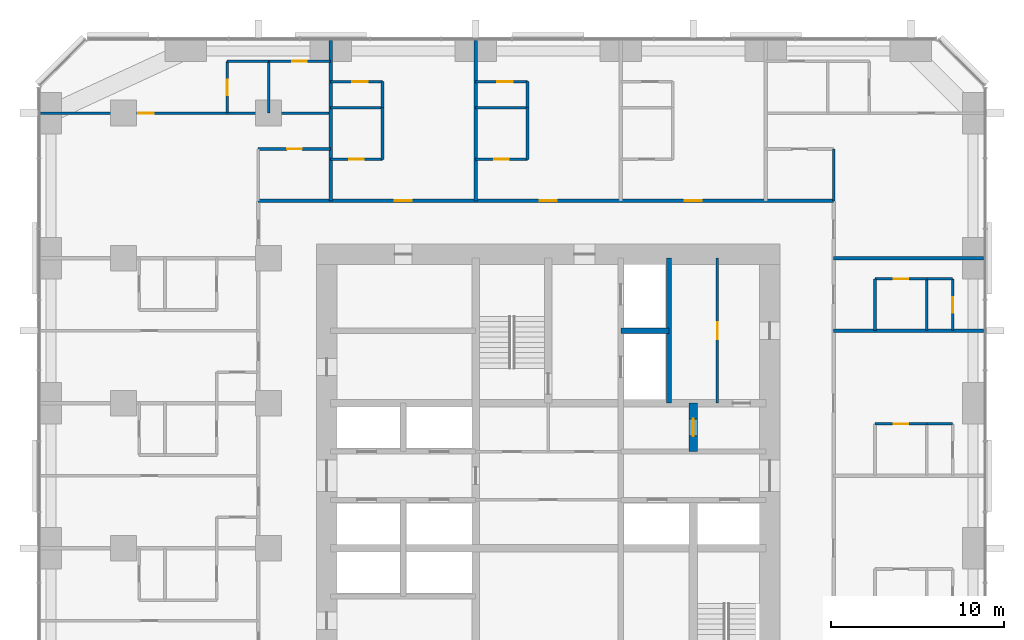
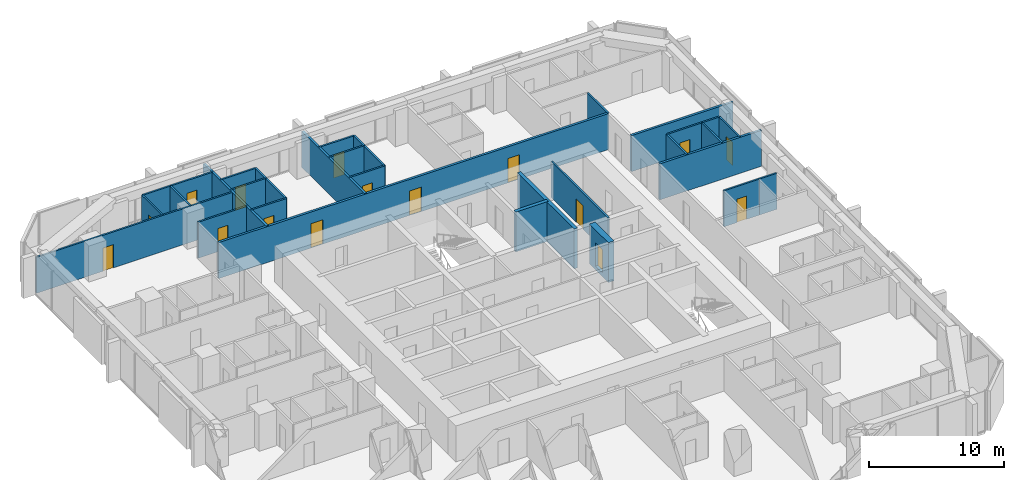
# One storey, part 12 of 14: 33 walls, 16 doors, 16 openings.
"""IFC4 building model written with IfcOpenShell, lengths in metres."""

from ifc_helpers import new_model, si_unit, direction, frame, frame_2d, origin, place, context, subcontext, project, spatial, rectangle, extrude, material, layer, layer_set, type_object, element, fill, save


model = new_model("IFC4")

# Units and contexts
model_context = context("Model", 3, precision=1e-05, world=origin(), true_north=direction((0.0, 1.0)))
body_context = subcontext(model_context, "Body", "Model", "MODEL_VIEW")
ifc_project = project(units=[si_unit("LENGTHUNIT", "METRE"), si_unit("AREAUNIT", "SQUARE_METRE"), si_unit("VOLUMEUNIT", "CUBIC_METRE"), si_unit("PLANEANGLEUNIT", "RADIAN"), si_unit("MASSUNIT", "GRAM", prefix="KILO")], contexts=[model_context])

# Site, building, storey
site_placement = place(None, origin())
site = spatial("IfcSite", under=ifc_project, at=site_placement, CompositionType="ELEMENT")
building_placement = place(site_placement, origin())
building = spatial("IfcBuilding", under=site, at=building_placement, Name="Dunama Terrace Hotel", CompositionType="ELEMENT")
storey_placement = place(building_placement, frame((0.0, 0.0, 100.800048828125)))
storey = spatial("IfcBuildingStorey", under=building, at=storey_placement, Name="L25", CompositionType="ELEMENT", Elevation=100.800048828125)

# Walls
ifc_material_1 = material(Name="Gypsum board partition", Category="masonry")
ifc_layer_1 = layer(ifc_material_1, 0.14990234375)
ifc_layer_set_1 = layer_set([ifc_layer_1], Name="Bathroom partition 150")
wall_type_1 = type_object("IfcWallType", Name="Bathroom partition 150", PredefinedType="PARTITIONING", material=ifc_layer_set_1)
for number, where, z_axis, x_axis, name in (
    (1, (19.800048828125, 47.72509765625, 0.0), (0.0, 0.0, 1.0), (0.0, 1.0, 0.0), "Bathroom partition 150 L25"),
    (2, (28.199951171875, 47.72509765625, 0.0), (0.0, 0.0, 1.0), (0.0, 1.0, 0.0), "Bathroom partition 150 L25"),
    (3, (45.925048828125, 45.324951171875, 0.0), (0.0, 0.0, 1.0), (0.0, 1.0, 0.0), "Bathroom partition 150 L25"),
    (4, (48.324951171875, 37.800048828125, 0.0), (0.0, 0.0, 1.0), (0.0, 1.0, 0.0), "Bathroom partition 150 L25"),
):
    element("IfcWall", number, at=place(storey_placement, frame(where, z_axis=z_axis, x_axis=x_axis)), inside=storey, type_object=wall_type_1, Name=name, PredefinedType="PARTITIONING", context=body_context, shape_type="SweptSolid", body=[
        extrude(rectangle(XDim=3.0, YDim=0.14990234375, at=frame_2d((1.5, 0.0))), origin(), (0.0, 0.0, 1.0), 3.25),
    ])

# Wall, opening, door
wall_1_placement = place(storey_placement, frame((48.324951171875, 32.39990234375, 0.0), z_axis=(0.0, 0.0, 1.0), x_axis=(1.0, 0.0, 0.0)))
wall_1 = element("IfcWall", 5, at=wall_1_placement, inside=storey, type_object=wall_type_1, Name="Bathroom partition 150 L25", PredefinedType="PARTITIONING", context=body_context, shape_type="SweptSolid", body=[
    extrude(rectangle(XDim=3.0, YDim=0.14990234375, at=frame_2d((1.5, 0.0))), origin(), (0.0, 0.0, 1.0), 3.25),
])
opening_1_placement = place(wall_1_placement, frame((1.074951171875, 0.0, 0.0)))
opening_1 = element("IfcOpeningElement", 6, at=opening_1_placement, cuts=wall_1, Name="Opening L25-27-030", PredefinedType="OPENING", context=body_context, shape_type="SweptSolid", body=[
    extrude(rectangle(XDim=0.85009765625, YDim=2.10009765625, at=frame_2d((0.425048828125, 1.050048828125))), frame((0.0, 0.0849609375, 0.0), z_axis=(0.0, -1.0, 0.0), x_axis=(1.0, 0.0, 0.0)), (0.0, 0.0, 1.0), 0.169921875),
])
ifc_material_2 = material(Name="Timber door with steel frame", Category="steel")
door_type_1 = type_object("IfcDoorType", Name="Bathroom door 850", OperationType="SINGLE_SWING_LEFT", PredefinedType="DOOR", material=ifc_material_2)
door_1_placement = place(opening_1_placement, frame((0.85009765625, 0.0, 0.0), z_axis=(0.0, 0.0, 1.0), x_axis=(-1.0, 0.0, 0.0)))
door_1 = element("IfcDoor", 7, at=door_1_placement, inside=storey, type_object=door_type_1, Name="Door to en-suite bathroom L25-27-030, type D2", OperationType="SINGLE_SWING_LEFT", OverallHeight=2.10009765625, OverallWidth=0.85009765625, PredefinedType="DOOR", context=body_context, shape_type="SweptSolid", body=[
    extrude(rectangle(XDim=0.85009765625, YDim=2.10009765625, at=frame_2d((0.425048828125, 1.050048828125))), frame((0.0, 0.025146484375, 0.0), z_axis=(0.0, -1.0, 0.0), x_axis=(1.0, 0.0, 0.0)), (0.0, 0.0, 1.0), 0.050048828125),
])
fill(opening_1, door_1)

wall_2_placement = place(storey_placement, frame((48.324951171875, 40.800048828125, 0.0), z_axis=(0.0, 0.0, 1.0), x_axis=(1.0, 0.0, 0.0)))
wall_2 = element("IfcWall", 8, at=wall_2_placement, inside=storey, type_object=wall_type_1, Name="Bathroom partition 150 L25", PredefinedType="PARTITIONING", context=body_context, shape_type="SweptSolid", body=[
    extrude(rectangle(XDim=3.0, YDim=0.14990234375, at=frame_2d((1.5, 0.0))), origin(), (0.0, 0.0, 1.0), 3.25),
])
opening_2_placement = place(wall_2_placement, frame((1.074951171875, 0.0, 0.0)))
opening_2 = element("IfcOpeningElement", 9, at=opening_2_placement, cuts=wall_2, Name="Opening L25-27-033", PredefinedType="OPENING", context=body_context, shape_type="SweptSolid", body=[
    extrude(rectangle(XDim=0.85009765625, YDim=2.10009765625, at=frame_2d((0.425048828125, 1.050048828125))), frame((0.0, 0.0849609375, 0.0), z_axis=(0.0, -1.0, 0.0), x_axis=(1.0, 0.0, 0.0)), (0.0, 0.0, 1.0), 0.169921875),
])
door_2_placement = place(opening_2_placement, frame((0.85009765625, 0.0, 0.0), z_axis=(0.0, 0.0, 1.0), x_axis=(-1.0, 0.0, 0.0)))
door_2 = element("IfcDoor", 10, at=door_2_placement, inside=storey, type_object=door_type_1, Name="Door to en-suite bathroom L25-27-033, type D2", OperationType="SINGLE_SWING_LEFT", OverallHeight=2.10009765625, OverallWidth=0.85009765625, PredefinedType="DOOR", context=body_context, shape_type="SweptSolid", body=[
    extrude(rectangle(XDim=0.85009765625, YDim=2.10009765625, at=frame_2d((0.425048828125, 1.050048828125))), frame((0.0, 0.025146484375, 0.0), z_axis=(0.0, -1.0, 0.0), x_axis=(1.0, 0.0, 0.0)), (0.0, 0.0, 1.0), 0.050048828125),
])
fill(opening_2, door_2)

wall_3_placement = place(storey_placement, frame((16.800048828125, 47.72509765625, 0.0), z_axis=(0.0, 0.0, 1.0), x_axis=(1.0, 0.0, 0.0)))
wall_3 = element("IfcWall", 11, at=wall_3_placement, inside=storey, type_object=wall_type_1, Name="Bathroom partition 150 L25", PredefinedType="PARTITIONING", context=body_context, shape_type="SweptSolid", body=[
    extrude(rectangle(XDim=3.0, YDim=0.14990234375, at=frame_2d((1.5, 0.0))), origin(), (0.0, 0.0, 1.0), 3.25),
])
opening_3_placement = place(wall_3_placement, frame((1.074951171875, 0.0, 0.0)))
opening_3 = element("IfcOpeningElement", 12, at=opening_3_placement, cuts=wall_3, Name="Opening L25-27-036", PredefinedType="OPENING", context=body_context, shape_type="SweptSolid", body=[
    extrude(rectangle(XDim=0.85009765625, YDim=2.10009765625, at=frame_2d((0.425048828125, 1.050048828125))), frame((0.0, 0.0849609375, 0.0), z_axis=(0.0, -1.0, 0.0), x_axis=(1.0, 0.0, 0.0)), (0.0, 0.0, 1.0), 0.169921875),
])
door_3_placement = place(opening_3_placement, origin())
door_3 = element("IfcDoor", 13, at=door_3_placement, inside=storey, type_object=door_type_1, Name="Door to en-suite bathroom L25-27-036, type D2", OperationType="SINGLE_SWING_LEFT", OverallHeight=2.10009765625, OverallWidth=0.85009765625, PredefinedType="DOOR", context=body_context, shape_type="SweptSolid", body=[
    extrude(rectangle(XDim=0.85009765625, YDim=2.10009765625, at=frame_2d((0.425048828125, 1.050048828125))), frame((0.0, 0.02490234375, 0.0), z_axis=(0.0, -1.0, 0.0), x_axis=(1.0, 0.0, 0.0)), (0.0, 0.0, 1.0), 0.050048828125),
])
fill(opening_3, door_3)

wall_4_placement = place(storey_placement, frame((25.199951171875, 47.72509765625, 0.0), z_axis=(0.0, 0.0, 1.0), x_axis=(1.0, 0.0, 0.0)))
wall_4 = element("IfcWall", 14, at=wall_4_placement, inside=storey, type_object=wall_type_1, Name="Bathroom partition 150 L25", PredefinedType="PARTITIONING", context=body_context, shape_type="SweptSolid", body=[
    extrude(rectangle(XDim=3.0, YDim=0.14990234375, at=frame_2d((1.5, 0.0))), origin(), (0.0, 0.0, 1.0), 3.25),
])
opening_4_placement = place(wall_4_placement, frame((1.074951171875, 0.0, 0.0)))
opening_4 = element("IfcOpeningElement", 15, at=opening_4_placement, cuts=wall_4, Name="Opening L25-27-039", PredefinedType="OPENING", context=body_context, shape_type="SweptSolid", body=[
    extrude(rectangle(XDim=0.85009765625, YDim=2.10009765625, at=frame_2d((0.425048828125, 1.050048828125))), frame((0.0, 0.0849609375, 0.0), z_axis=(0.0, -1.0, 0.0), x_axis=(1.0, 0.0, 0.0)), (0.0, 0.0, 1.0), 0.169921875),
])
door_4_placement = place(opening_4_placement, origin())
door_4 = element("IfcDoor", 16, at=door_4_placement, inside=storey, type_object=door_type_1, Name="Door to en-suite bathroom L25-27-039, type D2", OperationType="SINGLE_SWING_LEFT", OverallHeight=2.10009765625, OverallWidth=0.85009765625, PredefinedType="DOOR", context=body_context, shape_type="SweptSolid", body=[
    extrude(rectangle(XDim=0.85009765625, YDim=2.10009765625, at=frame_2d((0.425048828125, 1.050048828125))), frame((0.0, 0.02490234375, 0.0), z_axis=(0.0, -1.0, 0.0), x_axis=(1.0, 0.0, 0.0)), (0.0, 0.0, 1.0), 0.050048828125),
])
fill(opening_4, door_4)

wall_5_placement = place(storey_placement, frame((12.60009765625, 48.324951171875, 0.0), z_axis=(0.0, 0.0, 1.0), x_axis=(1.0, 0.0, 0.0)))
wall_5 = element("IfcWall", 17, at=wall_5_placement, inside=storey, type_object=wall_type_1, Name="Bathroom partition 150 L25", PredefinedType="PARTITIONING", context=body_context, shape_type="SweptSolid", body=[
    extrude(rectangle(XDim=4.199951171875, YDim=0.14990234375, at=frame_2d((2.10009765625, 0.0))), origin(), (0.0, 0.0, 1.0), 3.25),
])
opening_5_placement = place(wall_5_placement, frame((1.675048828125, 0.0, 0.0)))
opening_5 = element("IfcOpeningElement", 18, at=opening_5_placement, cuts=wall_5, Name="Opening L25-27-075", PredefinedType="OPENING", context=body_context, shape_type="SweptSolid", body=[
    extrude(rectangle(XDim=0.85009765625, YDim=2.10009765625, at=frame_2d((0.425048828125, 1.050048828125))), frame((0.0, 0.0849609375, 0.0), z_axis=(0.0, -1.0, 0.0), x_axis=(1.0, 0.0, 0.0)), (0.0, 0.0, 1.0), 0.169921875),
])
door_5_placement = place(opening_5_placement, frame((0.85009765625, 0.0, 0.0), z_axis=(0.0, 0.0, 1.0), x_axis=(-1.0, 0.0, 0.0)))
door_5 = element("IfcDoor", 19, at=door_5_placement, inside=storey, type_object=door_type_1, Name="Door to powder room L25-27-075, type D2", OperationType="SINGLE_SWING_RIGHT", OverallHeight=2.10009765625, OverallWidth=0.85009765625, PredefinedType="DOOR", context=body_context, shape_type="SweptSolid", body=[
    extrude(rectangle(XDim=0.85009765625, YDim=2.10009765625, at=frame_2d((0.425048828125, 1.050048828125))), frame((0.0, 0.025146484375, 0.0), z_axis=(0.0, -1.0, 0.0), x_axis=(1.0, 0.0, 0.0)), (0.0, 0.0, 1.0), 0.050048828125),
])
fill(opening_5, door_5)

wall_6_placement = place(storey_placement, frame((13.199951171875, 53.39990234375, 0.0), z_axis=(0.0, 0.0, 1.0), x_axis=(1.0, 0.0, 0.0)))
wall_6 = element("IfcWall", 20, at=wall_6_placement, inside=storey, type_object=wall_type_1, Name="Bathroom partition 150 L25", PredefinedType="PARTITIONING", context=body_context, shape_type="SweptSolid", body=[
    extrude(rectangle(XDim=3.60009765625, YDim=0.14990234375, at=frame_2d((1.800048828125, 0.0))), origin(), (0.0, 0.0, 1.0), 3.25),
])
opening_6_placement = place(wall_6_placement, frame((1.375, 0.0, 0.0)))
opening_6 = element("IfcOpeningElement", 21, at=opening_6_placement, cuts=wall_6, Name="Opening L25-27-077", PredefinedType="OPENING", context=body_context, shape_type="SweptSolid", body=[
    extrude(rectangle(XDim=0.85009765625, YDim=2.10009765625, at=frame_2d((0.425048828125, 1.050048828125))), frame((0.0, 0.0849609375, 0.0), z_axis=(0.0, -1.0, 0.0), x_axis=(1.0, 0.0, 0.0)), (0.0, 0.0, 1.0), 0.169921875),
])
door_6_placement = place(opening_6_placement, frame((0.85009765625, 0.0, 0.0), z_axis=(0.0, 0.0, 1.0), x_axis=(-1.0, 0.0, 0.0)))
door_6 = element("IfcDoor", 22, at=door_6_placement, inside=storey, type_object=door_type_1, Name="Door to en-suite bathroom L25-27-077, type D2", OperationType="SINGLE_SWING_LEFT", OverallHeight=2.10009765625, OverallWidth=0.85009765625, PredefinedType="DOOR", context=body_context, shape_type="SweptSolid", body=[
    extrude(rectangle(XDim=0.85009765625, YDim=2.10009765625, at=frame_2d((0.425048828125, 1.050048828125))), frame((0.0, 0.025146484375, 0.0), z_axis=(0.0, -1.0, 0.0), x_axis=(1.0, 0.0, 0.0)), (0.0, 0.0, 1.0), 0.050048828125),
])
fill(opening_6, door_6)

# Walls
ifc_material_3 = material(Name="Concrete C50/60", Category="concrete")
ifc_layer_2 = layer(ifc_material_3, 0.300048828125)
ifc_layer_set_2 = layer_set([ifc_layer_2], Name="Core inner wall 300")
wall_type_2 = type_object("IfcWallType", Name="Core inner wall 300", PredefinedType="SHEAR", material=ifc_layer_set_2)
wall_7_placement = place(storey_placement, frame((36.39990234375, 33.60009765625, -0.35009765625), z_axis=(0.0, 0.0, 1.0), x_axis=(0.0, 1.0, 0.0)))
element("IfcWall", 23, at=wall_7_placement, inside=storey, type_object=wall_type_2, Name="Core inner wall 300 L25", PredefinedType="SHEAR", context=body_context, shape_type="SweptSolid", body=[
    extrude(rectangle(XDim=8.39990234375, YDim=0.300048828125, at=frame_2d((4.199951171875, 0.0))), origin(), (0.0, 0.0, 1.0), 3.60009765625),
])
wall_8_placement = place(storey_placement, frame((33.60009765625, 37.800048828125, -0.35009765625), z_axis=(0.0, 0.0, 1.0), x_axis=(1.0, 0.0, 0.0)))
element("IfcWall", 24, at=wall_8_placement, inside=storey, type_object=wall_type_2, Name="Core inner wall 300 L25", PredefinedType="SHEAR", context=body_context, shape_type="SweptSolid", body=[
    extrude(rectangle(XDim=2.7998046875, YDim=0.300048828125, at=frame_2d((1.39990234375, 0.0))), origin(), (0.0, 0.0, 1.0), 3.60009765625),
])

# Wall, opening, door
ifc_material_4 = material(Name="Concrete C50/60", Category="concrete")
ifc_layer_3 = layer(ifc_material_4, 0.5)
ifc_layer_set_3 = layer_set([ifc_layer_3], Name="Core inner wall 500")
wall_type_3 = type_object("IfcWallType", Name="Core inner wall 500", PredefinedType="SHEAR", material=ifc_layer_set_3)
wall_9_placement = place(storey_placement, frame((37.800048828125, 30.800048828125, -0.35009765625), z_axis=(0.0, 0.0, 1.0), x_axis=(0.0, 1.0, 0.0)))
wall_9 = element("IfcWall", 25, at=wall_9_placement, inside=storey, type_object=wall_type_3, Name="Core inner wall 500 L25", PredefinedType="SHEAR", context=body_context, shape_type="SweptSolid", body=[
    extrude(rectangle(XDim=2.800048828125, YDim=0.5, at=frame_2d((1.39990234375, 0.0))), origin(), (0.0, 0.0, 1.0), 3.60009765625),
])
opening_7_placement = place(wall_9_placement, frame((0.89990234375, 0.0, 0.35009765625)))
opening_7 = element("IfcOpeningElement", 26, at=opening_7_placement, cuts=wall_9, Name="Opening L25-27-087", PredefinedType="OPENING", context=body_context, shape_type="SweptSolid", body=[
    extrude(rectangle(XDim=1.0, YDim=2.10009765625, at=frame_2d((0.5, 1.050048828125))), frame((0.0, 0.260009765625, 0.0), z_axis=(0.0, -1.0, 0.0), x_axis=(1.0, 0.0, 0.0)), (0.0, 0.0, 1.0), 0.52001953125),
])
ifc_material_5 = material(Name="Timber door with steel frame", Category="steel")
door_type_2 = type_object("IfcDoorType", Name="Service door 1000", OperationType="SINGLE_SWING_LEFT", PredefinedType="DOOR", material=ifc_material_5)
door_7_placement = place(opening_7_placement, frame((1.0, 0.0, 0.0), z_axis=(0.0, 0.0, 1.0), x_axis=(-1.0, 0.0, 0.0)))
door_7 = element("IfcDoor", 27, at=door_7_placement, inside=storey, type_object=door_type_2, Name="Door to service riser L25-27-087, type D7", OperationType="SINGLE_SWING_LEFT", OverallHeight=2.10009765625, OverallWidth=1.0, PredefinedType="DOOR", context=body_context, shape_type="SweptSolid", body=[
    extrude(rectangle(XDim=1.0, YDim=2.10009765625, at=frame_2d((0.5, 1.050048828125))), frame((0.0, 0.025146484375, 0.0), z_axis=(0.0, -1.0, 0.0), x_axis=(1.0, 0.0, 0.0)), (0.0, 0.0, 1.0), 0.050048828125),
])
fill(opening_7, door_7)

# Wall, openings, doors
ifc_material_6 = material(Name="Concrete blockwork", Category="masonry")
ifc_layer_4 = layer(ifc_material_6, 0.199951171875)
ifc_layer_set_4 = layer_set([ifc_layer_4], Name="Corridor partition 200")
wall_type_4 = type_object("IfcWallType", Name="Corridor partition 200", PredefinedType="PARTITIONING", material=ifc_layer_set_4)
wall_10_placement = place(storey_placement, frame((12.60009765625, 45.324951171875, 0.0), z_axis=(0.0, 0.0, 1.0), x_axis=(1.0, 0.0, 0.0)))
wall_10 = element("IfcWall", 28, at=wall_10_placement, inside=storey, type_object=wall_type_4, Name="Corridor partition 200 L25", PredefinedType="PARTITIONING", context=body_context, shape_type="SweptSolid", body=[
    extrude(rectangle(XDim=33.324951171875, YDim=0.199951171875, at=frame_2d((16.66259765625, 0.0))), origin(), (0.0, 0.0, 1.0), 3.25),
])
opening_8_placement = place(wall_10_placement, frame((7.89990234375, 0.0, 0.0)))
opening_8 = element("IfcOpeningElement", 29, at=opening_8_placement, cuts=wall_10, Name="Opening L25-27-035", PredefinedType="OPENING", context=body_context, shape_type="SweptSolid", body=[
    extrude(rectangle(XDim=1.0, YDim=2.199951171875, at=frame_2d((0.5, 1.10009765625))), frame((0.0, 0.10986328125, 0.0), z_axis=(0.0, -1.0, 0.0), x_axis=(1.0, 0.0, 0.0)), (0.0, 0.0, 1.0), 0.219970703125),
])
opening_9_placement = place(wall_10_placement, frame((16.300048828125, 0.0, 0.0)))
opening_9 = element("IfcOpeningElement", 30, at=opening_9_placement, cuts=wall_10, Name="Opening L25-27-038", PredefinedType="OPENING", context=body_context, shape_type="SweptSolid", body=[
    extrude(rectangle(XDim=1.0, YDim=2.199951171875, at=frame_2d((0.5, 1.10009765625))), frame((0.0, 0.10986328125, 0.0), z_axis=(0.0, -1.0, 0.0), x_axis=(1.0, 0.0, 0.0)), (0.0, 0.0, 1.0), 0.219970703125),
])
opening_10_placement = place(wall_10_placement, frame((24.699951171875, 0.0, 0.0)))
opening_10 = element("IfcOpeningElement", 31, at=opening_10_placement, cuts=wall_10, Name="Opening L25-27-041", PredefinedType="OPENING", context=body_context, shape_type="SweptSolid", body=[
    extrude(rectangle(XDim=1.0, YDim=2.199951171875, at=frame_2d((0.5, 1.10009765625))), frame((0.0, 0.10986328125, 0.0), z_axis=(0.0, -1.0, 0.0), x_axis=(1.0, 0.0, 0.0)), (0.0, 0.0, 1.0), 0.219970703125),
])
ifc_material_7 = material(Name="Timber door with steel frame", Category="steel")
door_type_3 = type_object("IfcDoorType", Name="Guest room door 1000", OperationType="SINGLE_SWING_LEFT", PredefinedType="DOOR", material=ifc_material_7)
door_8_placement = place(opening_8_placement, origin())
door_8 = element("IfcDoor", 32, at=door_8_placement, inside=storey, type_object=door_type_3, Name="Door to junior suite L25-27-035, type D1", OperationType="SINGLE_SWING_LEFT", OverallHeight=2.199951171875, OverallWidth=1.0, PredefinedType="DOOR", context=body_context, shape_type="SweptSolid", body=[
    extrude(rectangle(XDim=1.0, YDim=2.199951171875, at=frame_2d((0.5, 1.10009765625))), frame((0.0, 0.02490234375, 0.0), z_axis=(0.0, -1.0, 0.0), x_axis=(1.0, 0.0, 0.0)), (0.0, 0.0, 1.0), 0.050048828125),
])
fill(opening_8, door_8)
door_9_placement = place(opening_9_placement, origin())
door_9 = element("IfcDoor", 33, at=door_9_placement, inside=storey, type_object=door_type_3, Name="Door to junior suite L25-27-038, type D1", OperationType="SINGLE_SWING_LEFT", OverallHeight=2.199951171875, OverallWidth=1.0, PredefinedType="DOOR", context=body_context, shape_type="SweptSolid", body=[
    extrude(rectangle(XDim=1.0, YDim=2.199951171875, at=frame_2d((0.5, 1.10009765625))), frame((0.0, 0.02490234375, 0.0), z_axis=(0.0, -1.0, 0.0), x_axis=(1.0, 0.0, 0.0)), (0.0, 0.0, 1.0), 0.050048828125),
])
fill(opening_9, door_9)
door_10_placement = place(opening_10_placement, origin())
door_10 = element("IfcDoor", 34, at=door_10_placement, inside=storey, type_object=door_type_3, Name="Door to junior suite L25-27-041, type D1", OperationType="SINGLE_SWING_LEFT", OverallHeight=2.199951171875, OverallWidth=1.0, PredefinedType="DOOR", context=body_context, shape_type="SweptSolid", body=[
    extrude(rectangle(XDim=1.0, YDim=2.199951171875, at=frame_2d((0.5, 1.10009765625))), frame((0.0, 0.02490234375, 0.0), z_axis=(0.0, -1.0, 0.0), x_axis=(1.0, 0.0, 0.0)), (0.0, 0.0, 1.0), 0.050048828125),
])
fill(opening_10, door_10)

# Walls
ifc_material_8 = material(Name="Concrete blockwork", Category="masonry")
ifc_layer_5 = layer(ifc_material_8, 0.199951171875)
ifc_layer_set_5 = layer_set([ifc_layer_5], Name="Party wall 200")
wall_type_5 = type_object("IfcWallType", Name="Party wall 200", PredefinedType="PARTITIONING", material=ifc_layer_set_5)
for number, where, z_axis, x_axis, name in (
    (35, (16.800048828125, 45.324951171875, 0.0), (0.0, 0.0, 1.0), (0.0, 1.0, 0.0), "Party wall 200 L25"),
    (36, (25.199951171875, 45.324951171875, 0.0), (0.0, 0.0, 1.0), (0.0, 1.0, 0.0), "Party wall 200 L25"),
):
    element("IfcWall", number, at=place(storey_placement, frame(where, z_axis=z_axis, x_axis=x_axis)), inside=storey, type_object=wall_type_5, Name=name, PredefinedType="PARTITIONING", context=body_context, shape_type="SweptSolid", body=[
        extrude(rectangle(XDim=9.29296875, YDim=0.199951171875, at=frame_2d((4.646484375, 0.0))), origin(), (0.0, 0.0, 1.0), 3.25),
    ])
for number, where, z_axis, x_axis, name in (
    (37, (45.925048828125, 37.800048828125, 0.0), (0.0, 0.0, 1.0), (1.0, 0.0, 0.0), "Party wall 200 L25"),
    (38, (45.925048828125, 42.0, 0.0), (0.0, 0.0, 1.0), (1.0, 0.0, 0.0), "Party wall 200 L25"),
):
    element("IfcWall", number, at=place(storey_placement, frame(where, z_axis=z_axis, x_axis=x_axis)), inside=storey, type_object=wall_type_5, Name=name, PredefinedType="PARTITIONING", context=body_context, shape_type="SweptSolid", body=[
        extrude(rectangle(XDim=8.69287109375, YDim=0.199951171875, at=frame_2d((4.346435546875, 0.0))), origin(), (0.0, 0.0, 1.0), 3.25),
    ])

# Wall, opening, door
ifc_material_9 = material(Name="Gypsum board partition", Category="masonry")
ifc_layer_6 = layer(ifc_material_9, 0.14990234375)
ifc_layer_set_6 = layer_set([ifc_layer_6], Name="Room partition 150")
wall_type_6 = type_object("IfcWallType", Name="Room partition 150", PredefinedType="PARTITIONING", material=ifc_layer_set_6)
wall_11_placement = place(storey_placement, frame((10.800048828125, 50.39990234375, 0.0), z_axis=(0.0, 0.0, 1.0), x_axis=(0.0, 1.0, 0.0)))
wall_11 = element("IfcWall", 39, at=wall_11_placement, inside=storey, type_object=wall_type_6, Name="Room partition 150 L25", PredefinedType="PARTITIONING", context=body_context, shape_type="SweptSolid", body=[
    extrude(rectangle(XDim=3.0, YDim=0.14990234375, at=frame_2d((1.5, 0.0))), origin(), (0.0, 0.0, 1.0), 3.25),
])
opening_11_placement = place(wall_11_placement, frame((1.050048828125, 0.0, 0.0)))
opening_11 = element("IfcOpeningElement", 40, at=opening_11_placement, cuts=wall_11, Name="Opening L25-27-078", PredefinedType="OPENING", context=body_context, shape_type="SweptSolid", body=[
    extrude(rectangle(XDim=0.89990234375, YDim=2.10009765625, at=frame_2d((0.449951171875, 1.050048828125))), frame((0.0, 0.0849609375, 0.0), z_axis=(0.0, -1.0, 0.0), x_axis=(1.0, 0.0, 0.0)), (0.0, 0.0, 1.0), 0.169921875),
])
ifc_material_10 = material(Name="Timber door with steel frame", Category="steel")
door_type_4 = type_object("IfcDoorType", Name="Suite internal door 900", OperationType="SINGLE_SWING_LEFT", PredefinedType="DOOR", material=ifc_material_10)
door_11_placement = place(opening_11_placement, frame((0.89990234375, 0.0, 0.0), z_axis=(0.0, 0.0, 1.0), x_axis=(-1.0, 0.0, 0.0)))
door_11 = element("IfcDoor", 41, at=door_11_placement, inside=storey, type_object=door_type_4, Name="Door to dressing room L25-27-078, type D16", OperationType="SINGLE_SWING_RIGHT", OverallHeight=2.10009765625, OverallWidth=0.89990234375, PredefinedType="DOOR", context=body_context, shape_type="SweptSolid", body=[
    extrude(rectangle(XDim=0.89990234375, YDim=2.10009765625, at=frame_2d((0.449951171875, 1.050048828125))), frame((0.0, 0.025146484375, 0.0), z_axis=(0.0, -1.0, 0.0), x_axis=(1.0, 0.0, 0.0)), (0.0, 0.0, 1.0), 0.050048828125),
])
fill(opening_11, door_11)

# Walls
wall_12_placement = place(storey_placement, frame((13.199951171875, 50.39990234375, 0.0), z_axis=(0.0, 0.0, 1.0), x_axis=(0.0, 1.0, 0.0)))
element("IfcWall", 42, at=wall_12_placement, inside=storey, type_object=wall_type_6, Name="Room partition 150 L25", PredefinedType="PARTITIONING", context=body_context, shape_type="SweptSolid", body=[
    extrude(rectangle(XDim=3.0, YDim=0.14990234375, at=frame_2d((1.5, 0.0))), origin(), (0.0, 0.0, 1.0), 3.25),
])
for number, where, z_axis, x_axis, name in (
    (43, (19.800048828125, 50.72509765625, 0.0), (0.0, 0.0, 1.0), (0.0, 1.0, 0.0), "Room partition 150 L25"),
    (44, (28.199951171875, 50.72509765625, 0.0), (0.0, 0.0, 1.0), (0.0, 1.0, 0.0), "Room partition 150 L25"),
):
    element("IfcWall", number, at=place(storey_placement, frame(where, z_axis=z_axis, x_axis=x_axis)), inside=storey, type_object=wall_type_6, Name=name, PredefinedType="PARTITIONING", context=body_context, shape_type="SweptSolid", body=[
        extrude(rectangle(XDim=1.5, YDim=0.14990234375, at=frame_2d((0.75, 0.0))), origin(), (0.0, 0.0, 1.0), 3.25),
    ])

# Wall, opening, door
wall_13_placement = place(storey_placement, frame((39.199951171875, 33.60009765625, 0.0), z_axis=(0.0, 0.0, 1.0), x_axis=(0.0, 1.0, 0.0)))
wall_13 = element("IfcWall", 45, at=wall_13_placement, inside=storey, type_object=wall_type_6, Name="Room partition 150 L25", PredefinedType="PARTITIONING", context=body_context, shape_type="SweptSolid", body=[
    extrude(rectangle(XDim=8.39990234375, YDim=0.14990234375, at=frame_2d((4.199951171875, 0.0))), origin(), (0.0, 0.0, 1.0), 3.25),
])
opening_12_placement = place(wall_13_placement, frame((3.699951171875, 0.0, 0.0)))
opening_12 = element("IfcOpeningElement", 46, at=opening_12_placement, cuts=wall_13, Name="Opening L25-27-092", PredefinedType="OPENING", context=body_context, shape_type="SweptSolid", body=[
    extrude(rectangle(XDim=1.0, YDim=2.10009765625, at=frame_2d((0.5, 1.050048828125))), frame((0.0, 0.0849609375, 0.0), z_axis=(0.0, -1.0, 0.0), x_axis=(1.0, 0.0, 0.0)), (0.0, 0.0, 1.0), 0.169921875),
])
door_12_placement = place(opening_12_placement, origin())
door_12 = element("IfcDoor", 47, at=door_12_placement, inside=storey, type_object=door_type_2, Name="Door to cleaners store L25-27-092, type D7", OperationType="SINGLE_SWING_LEFT", OverallHeight=2.10009765625, OverallWidth=1.0, PredefinedType="DOOR", context=body_context, shape_type="SweptSolid", body=[
    extrude(rectangle(XDim=1.0, YDim=2.10009765625, at=frame_2d((0.5, 1.050048828125))), frame((0.0, 0.02490234375, 0.0), z_axis=(0.0, -1.0, 0.0), x_axis=(1.0, 0.0, 0.0)), (0.0, 0.0, 1.0), 0.050048828125),
])
fill(opening_12, door_12)

# Wall
wall_14_placement = place(storey_placement, frame((51.324951171875, 37.800048828125, 0.0), z_axis=(0.0, 0.0, 1.0), x_axis=(0.0, 1.0, 0.0)))
element("IfcWall", 48, at=wall_14_placement, inside=storey, type_object=wall_type_6, Name="Room partition 150 L25", PredefinedType="PARTITIONING", context=body_context, shape_type="SweptSolid", body=[
    extrude(rectangle(XDim=3.0, YDim=0.14990234375, at=frame_2d((1.5, 0.0))), origin(), (0.0, 0.0, 1.0), 3.25),
])

# Wall, opening, door
wall_15_placement = place(storey_placement, frame((52.824951171875, 37.800048828125, 0.0), z_axis=(0.0, 0.0, 1.0), x_axis=(0.0, 1.0, 0.0)))
wall_15 = element("IfcWall", 49, at=wall_15_placement, inside=storey, type_object=wall_type_6, Name="Room partition 150 L25", PredefinedType="PARTITIONING", context=body_context, shape_type="SweptSolid", body=[
    extrude(rectangle(XDim=3.0, YDim=0.14990234375, at=frame_2d((1.5, 0.0))), origin(), (0.0, 0.0, 1.0), 3.25),
])
opening_13_placement = place(wall_15_placement, frame((1.050048828125, 0.0, 0.0)))
opening_13 = element("IfcOpeningElement", 50, at=opening_13_placement, cuts=wall_15, Name="Opening L25-27-034", PredefinedType="OPENING", context=body_context, shape_type="SweptSolid", body=[
    extrude(rectangle(XDim=0.89990234375, YDim=2.10009765625, at=frame_2d((0.449951171875, 1.050048828125))), frame((0.0, 0.0849609375, 0.0), z_axis=(0.0, -1.0, 0.0), x_axis=(1.0, 0.0, 0.0)), (0.0, 0.0, 1.0), 0.169921875),
])
door_13_placement = place(opening_13_placement, origin())
door_13 = element("IfcDoor", 51, at=door_13_placement, inside=storey, type_object=door_type_4, Name="Door to walk-in wardrobe L25-27-034, type D16", OperationType="SINGLE_SWING_LEFT", OverallHeight=2.10009765625, OverallWidth=0.89990234375, PredefinedType="DOOR", context=body_context, shape_type="SweptSolid", body=[
    extrude(rectangle(XDim=0.89990234375, YDim=2.10009765625, at=frame_2d((0.449951171875, 1.050048828125))), frame((0.0, 0.02490234375, 0.0), z_axis=(0.0, -1.0, 0.0), x_axis=(1.0, 0.0, 0.0)), (0.0, 0.0, 1.0), 0.050048828125),
])
fill(opening_13, door_13)

# Walls
for number, where, z_axis, x_axis, name in (
    (52, (51.324951171875, 32.39990234375, 0.0), (0.0, 0.0, 1.0), (1.0, 0.0, 0.0), "Room partition 150 L25"),
    (53, (51.324951171875, 40.800048828125, 0.0), (0.0, 0.0, 1.0), (1.0, 0.0, 0.0), "Room partition 150 L25"),
):
    element("IfcWall", number, at=place(storey_placement, frame(where, z_axis=z_axis, x_axis=x_axis)), inside=storey, type_object=wall_type_6, Name=name, PredefinedType="PARTITIONING", context=body_context, shape_type="SweptSolid", body=[
        extrude(rectangle(XDim=1.5, YDim=0.14990234375, at=frame_2d((0.75, 0.0))), origin(), (0.0, 0.0, 1.0), 3.25),
    ])

# Wall, opening, door
wall_16_placement = place(storey_placement, frame((-0.01806640625, 50.39990234375, 0.0), z_axis=(0.0, 0.0, 1.0), x_axis=(1.0, 0.0, 0.0)))
wall_16 = element("IfcWall", 54, at=wall_16_placement, inside=storey, type_object=wall_type_6, Name="Room partition 150 L25", PredefinedType="PARTITIONING", context=body_context, shape_type="SweptSolid", body=[
    extrude(rectangle(XDim=16.818115234375, YDim=0.14990234375, at=frame_2d((8.4091796875, 0.0))), origin(), (0.0, 0.0, 1.0), 3.25),
])
opening_14_placement = place(wall_16_placement, frame((5.66796875, 0.0, 0.0)))
opening_14 = element("IfcOpeningElement", 55, at=opening_14_placement, cuts=wall_16, Name="Opening L25-27-076", PredefinedType="OPENING", context=body_context, shape_type="SweptSolid", body=[
    extrude(rectangle(XDim=0.89990234375, YDim=2.10009765625, at=frame_2d((0.449951171875, 1.050048828125))), frame((0.0, 0.0849609375, 0.0), z_axis=(0.0, -1.0, 0.0), x_axis=(1.0, 0.0, 0.0)), (0.0, 0.0, 1.0), 0.169921875),
])
door_14_placement = place(opening_14_placement, origin())
door_14 = element("IfcDoor", 56, at=door_14_placement, inside=storey, type_object=door_type_4, Name="Door to corner suite bedroom L25-27-076, type D16", OperationType="SINGLE_SWING_LEFT", OverallHeight=2.10009765625, OverallWidth=0.89990234375, PredefinedType="DOOR", context=body_context, shape_type="SweptSolid", body=[
    extrude(rectangle(XDim=0.89990234375, YDim=2.10009765625, at=frame_2d((0.449951171875, 1.050048828125))), frame((0.0, 0.02490234375, 0.0), z_axis=(0.0, -1.0, 0.0), x_axis=(1.0, 0.0, 0.0)), (0.0, 0.0, 1.0), 0.050048828125),
])
fill(opening_14, door_14)

# Walls
for number, where, z_axis, x_axis, name in (
    (57, (16.800048828125, 50.72509765625, 0.0), (0.0, 0.0, 1.0), (1.0, 0.0, 0.0), "Room partition 150 L25"),
    (58, (25.199951171875, 50.72509765625, 0.0), (0.0, 0.0, 1.0), (1.0, 0.0, 0.0), "Room partition 150 L25"),
):
    element("IfcWall", number, at=place(storey_placement, frame(where, z_axis=z_axis, x_axis=x_axis)), inside=storey, type_object=wall_type_6, Name=name, PredefinedType="PARTITIONING", context=body_context, shape_type="SweptSolid", body=[
        extrude(rectangle(XDim=3.0, YDim=0.14990234375, at=frame_2d((1.5, 0.0))), origin(), (0.0, 0.0, 1.0), 3.25),
    ])

# Wall, opening, door
wall_17_placement = place(storey_placement, frame((16.800048828125, 52.22509765625, 0.0), z_axis=(0.0, 0.0, 1.0), x_axis=(1.0, 0.0, 0.0)))
wall_17 = element("IfcWall", 59, at=wall_17_placement, inside=storey, type_object=wall_type_6, Name="Room partition 150 L25", PredefinedType="PARTITIONING", context=body_context, shape_type="SweptSolid", body=[
    extrude(rectangle(XDim=3.0, YDim=0.14990234375, at=frame_2d((1.5, 0.0))), origin(), (0.0, 0.0, 1.0), 3.25),
])
opening_15_placement = place(wall_17_placement, frame((1.25, 0.0, 0.0)))
opening_15 = element("IfcOpeningElement", 60, at=opening_15_placement, cuts=wall_17, Name="Opening L25-27-037", PredefinedType="OPENING", context=body_context, shape_type="SweptSolid", body=[
    extrude(rectangle(XDim=0.89990234375, YDim=2.10009765625, at=frame_2d((0.449951171875, 1.050048828125))), frame((0.0, 0.0849609375, 0.0), z_axis=(0.0, -1.0, 0.0), x_axis=(1.0, 0.0, 0.0)), (0.0, 0.0, 1.0), 0.169921875),
])
door_15_placement = place(opening_15_placement, frame((0.89990234375, 0.0, 0.0), z_axis=(0.0, 0.0, 1.0), x_axis=(-1.0, 0.0, 0.0)))
door_15 = element("IfcDoor", 61, at=door_15_placement, inside=storey, type_object=door_type_4, Name="Door to walk-in wardrobe L25-27-037, type D16", OperationType="SINGLE_SWING_RIGHT", OverallHeight=2.10009765625, OverallWidth=0.89990234375, PredefinedType="DOOR", context=body_context, shape_type="SweptSolid", body=[
    extrude(rectangle(XDim=0.89990234375, YDim=2.10009765625, at=frame_2d((0.449951171875, 1.050048828125))), frame((0.0, 0.025146484375, 0.0), z_axis=(0.0, -1.0, 0.0), x_axis=(1.0, 0.0, 0.0)), (0.0, 0.0, 1.0), 0.050048828125),
])
fill(opening_15, door_15)

wall_18_placement = place(storey_placement, frame((25.199951171875, 52.22509765625, 0.0), z_axis=(0.0, 0.0, 1.0), x_axis=(1.0, 0.0, 0.0)))
wall_18 = element("IfcWall", 62, at=wall_18_placement, inside=storey, type_object=wall_type_6, Name="Room partition 150 L25", PredefinedType="PARTITIONING", context=body_context, shape_type="SweptSolid", body=[
    extrude(rectangle(XDim=3.0, YDim=0.14990234375, at=frame_2d((1.5, 0.0))), origin(), (0.0, 0.0, 1.0), 3.25),
])
opening_16_placement = place(wall_18_placement, frame((1.25, 0.0, 0.0)))
opening_16 = element("IfcOpeningElement", 63, at=opening_16_placement, cuts=wall_18, Name="Opening L25-27-040", PredefinedType="OPENING", context=body_context, shape_type="SweptSolid", body=[
    extrude(rectangle(XDim=0.89990234375, YDim=2.10009765625, at=frame_2d((0.449951171875, 1.050048828125))), frame((0.0, 0.0849609375, 0.0), z_axis=(0.0, -1.0, 0.0), x_axis=(1.0, 0.0, 0.0)), (0.0, 0.0, 1.0), 0.169921875),
])
door_16_placement = place(opening_16_placement, frame((0.89990234375, 0.0, 0.0), z_axis=(0.0, 0.0, 1.0), x_axis=(-1.0, 0.0, 0.0)))
door_16 = element("IfcDoor", 64, at=door_16_placement, inside=storey, type_object=door_type_4, Name="Door to walk-in wardrobe L25-27-040, type D16", OperationType="SINGLE_SWING_RIGHT", OverallHeight=2.10009765625, OverallWidth=0.89990234375, PredefinedType="DOOR", context=body_context, shape_type="SweptSolid", body=[
    extrude(rectangle(XDim=0.89990234375, YDim=2.10009765625, at=frame_2d((0.449951171875, 1.050048828125))), frame((0.0, 0.025146484375, 0.0), z_axis=(0.0, -1.0, 0.0), x_axis=(1.0, 0.0, 0.0)), (0.0, 0.0, 1.0), 0.050048828125),
])
fill(opening_16, door_16)

# Wall
wall_19_placement = place(storey_placement, frame((10.800048828125, 53.39990234375, 0.0), z_axis=(0.0, 0.0, 1.0), x_axis=(1.0, 0.0, 0.0)))
element("IfcWall", 65, at=wall_19_placement, inside=storey, type_object=wall_type_6, Name="Room partition 150 L25", PredefinedType="PARTITIONING", context=body_context, shape_type="SweptSolid", body=[
    extrude(rectangle(XDim=2.39990234375, YDim=0.14990234375, at=frame_2d((1.199951171875, 0.0))), origin(), (0.0, 0.0, 1.0), 3.25),
])

save(model, "model.ifc")
